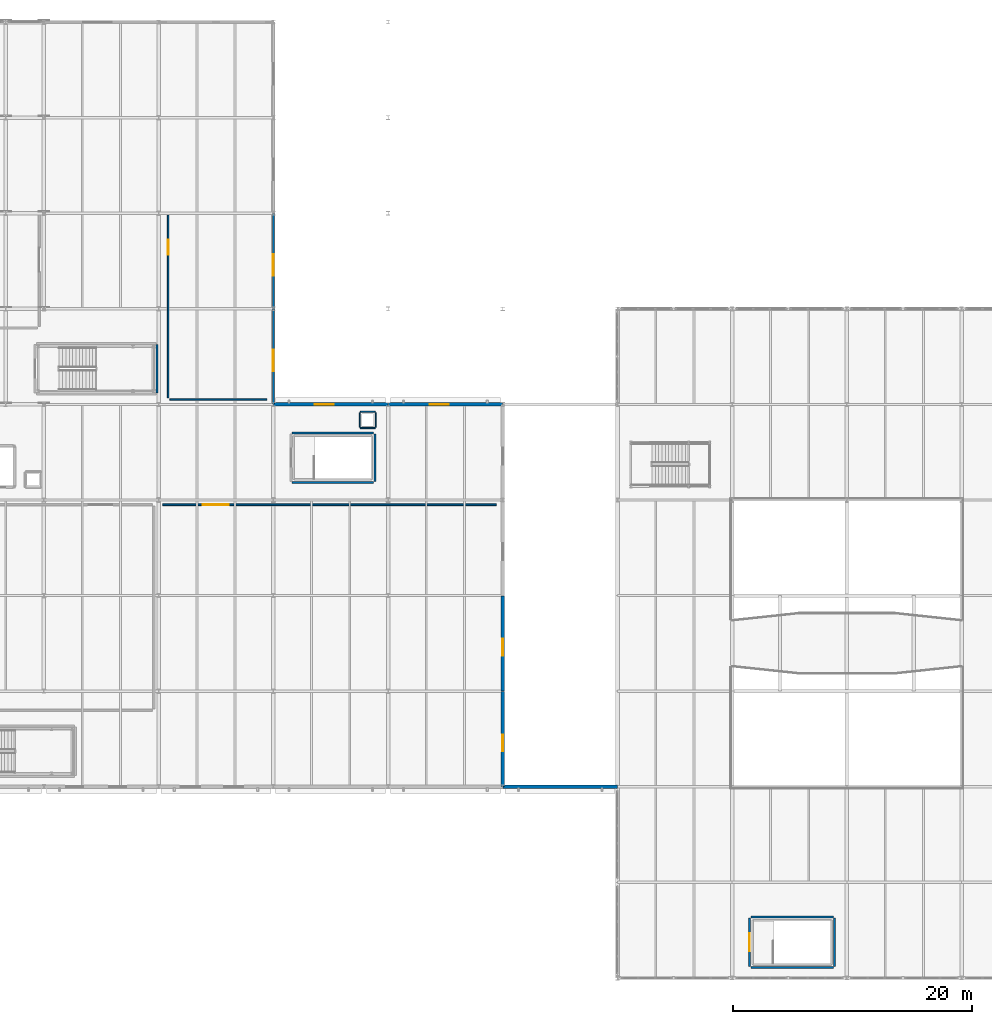
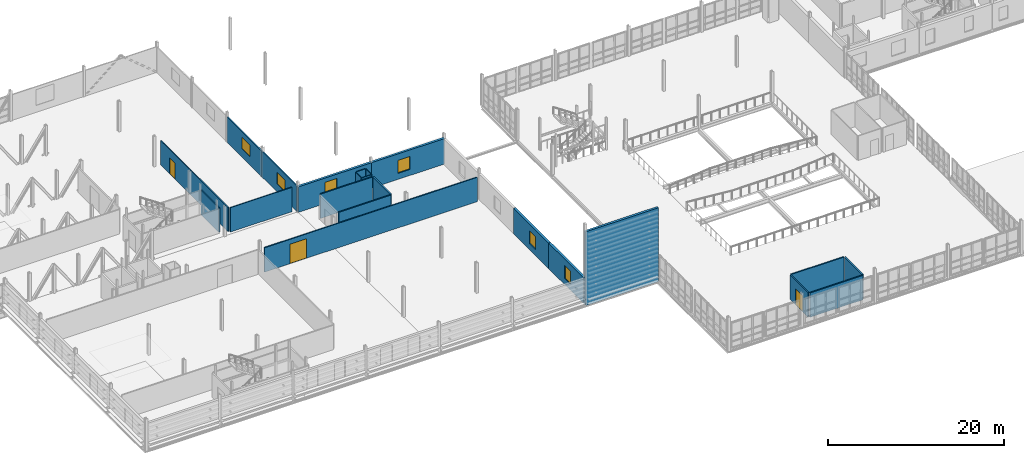
# One storey, part 61 of 73: 22 walls, 6 windows, 3 doors, 9 openings.
"""IFC4 building model written with IfcOpenShell, lengths in metres."""

from ifc_helpers import new_model, si_unit, direction, frame, frame_2d, origin, place, context, subcontext, project, spatial, rectangle, extrude, material, layer, layer_set, type_object, element, fill, save


model = new_model("IFC4")

# Units and contexts
model_context = context("Model", 3, precision=1e-05, world=origin(), true_north=direction((0.0, 1.0)))
body_context = subcontext(model_context, "Body", "Model", "MODEL_VIEW")
ifc_project = project(units=[si_unit("LENGTHUNIT", "METRE"), si_unit("AREAUNIT", "SQUARE_METRE"), si_unit("VOLUMEUNIT", "CUBIC_METRE"), si_unit("PLANEANGLEUNIT", "RADIAN"), si_unit("MASSUNIT", "GRAM", prefix="KILO")], contexts=[model_context])

# Site, building, storey
site_placement = place(None, origin())
site = spatial("IfcSite", under=ifc_project, at=site_placement, CompositionType="ELEMENT")
building_placement = place(site_placement, origin())
building = spatial("IfcBuilding", under=site, at=building_placement, Name="Alderhovde Museum", CompositionType="ELEMENT")
storey_placement = place(building_placement, frame((0.0, 0.0, 12.89990234375)))
storey = spatial("IfcBuildingStorey", under=building, at=storey_placement, Name="L03", CompositionType="ELEMENT", Elevation=12.89990234375)

# Wall, opening, window
ifc_material_1 = material(Name="Limestone Ashlar Rainscreen Wall", Category="masonry")
ifc_layer_1 = layer(ifc_material_1, 0.14990234375)
ifc_layer_set_1 = layer_set([ifc_layer_1], Name="Limestone Ashlar Rainscreen Wall")
wall_type_1 = type_object("IfcWallType", Name="EW-LIME-340", PredefinedType="SOLIDWALL", material=ifc_layer_set_1)
wall_1_placement = place(storey_placement, frame((48.0, 80.02001953125, 0.0), z_axis=(0.0, 0.0, 1.0), x_axis=(0.0, 1.0, 0.0)))
wall_1 = element("IfcWall", 1, at=wall_1_placement, inside=storey, type_object=wall_type_1, Name="L03 Paleontology East Step Wall 156", PredefinedType="SOLIDWALL", context=body_context, shape_type="SweptSolid", body=[
    extrude(rectangle(XDim=7.9599609375, YDim=0.14990234375, at=frame_2d((3.97998046875, 0.0))), origin(), (0.0, 0.0, 1.0), 3.5400390625),
])
opening_1_placement = place(wall_1_placement, frame((2.75, 0.0, 1.14990234375)))
opening_1 = element("IfcOpeningElement", 2, at=opening_1_placement, cuts=wall_1, Name="Opening W13", PredefinedType="OPENING", context=body_context, shape_type="SweptSolid", body=[
    extrude(rectangle(XDim=1.800048828125, YDim=1.60009765625, at=frame_2d((0.89990234375, 0.800048828125))), frame((0.0, 0.0849609375, 0.0), z_axis=(0.0, -1.0, 0.0), x_axis=(1.0, 0.0, 0.0)), (0.0, 0.0, 1.0), 0.169921875),
])
ifc_material_2 = material(Name="Triple-Glazed Low-E Bronze-Anodised Aluminium", Category="aluminium")
window_type_1 = type_object("IfcWindowType", Name="WIN-ATT-1800x1600", PartitioningType="DOUBLE_PANEL_VERTICAL", PredefinedType="WINDOW", material=ifc_material_2)
window_1_placement = place(opening_1_placement, origin())
window_1 = element("IfcWindow", 3, at=window_1_placement, inside=storey, type_object=window_type_1, Name="L03 Facade Window 136", OverallHeight=1.60009765625, OverallWidth=1.800048828125, PartitioningType="SINGLE_PANEL", PredefinedType="WINDOW", context=body_context, shape_type="SweptSolid", body=[
    extrude(rectangle(XDim=1.800048828125, YDim=1.60009765625, at=frame_2d((0.89990234375, 0.800048828125))), frame((0.0, 0.030029296875, 0.0), z_axis=(0.0, -1.0, 0.0), x_axis=(1.0, 0.0, 0.0)), (0.0, 0.0, 1.0), 0.06005859375),
])
fill(opening_1, window_1)

wall_2_placement = place(storey_placement, frame((48.0, 88.02001953125, 0.0), z_axis=(0.0, 0.0, 1.0), x_axis=(0.0, 1.0, 0.0)))
wall_2 = element("IfcWall", 4, at=wall_2_placement, inside=storey, type_object=wall_type_1, Name="L03 Paleontology East Step Wall 157", PredefinedType="SOLIDWALL", context=body_context, shape_type="SweptSolid", body=[
    extrude(rectangle(XDim=7.9599609375, YDim=0.14990234375, at=frame_2d((3.97998046875, 0.0))), origin(), (0.0, 0.0, 1.0), 3.5400390625),
])
opening_2_placement = place(wall_2_placement, frame((2.75, 0.0, 1.14990234375)))
opening_2 = element("IfcOpeningElement", 5, at=opening_2_placement, cuts=wall_2, Name="Opening W13", PredefinedType="OPENING", context=body_context, shape_type="SweptSolid", body=[
    extrude(rectangle(XDim=1.800048828125, YDim=1.60009765625, at=frame_2d((0.89990234375, 0.800048828125))), frame((0.0, 0.0849609375, 0.0), z_axis=(0.0, -1.0, 0.0), x_axis=(1.0, 0.0, 0.0)), (0.0, 0.0, 1.0), 0.169921875),
])
window_2_placement = place(opening_2_placement, origin())
window_2 = element("IfcWindow", 6, at=window_2_placement, inside=storey, type_object=window_type_1, Name="L03 Facade Window 137", OverallHeight=1.60009765625, OverallWidth=1.800048828125, PartitioningType="SINGLE_PANEL", PredefinedType="WINDOW", context=body_context, shape_type="SweptSolid", body=[
    extrude(rectangle(XDim=1.800048828125, YDim=1.60009765625, at=frame_2d((0.89990234375, 0.800048828125))), frame((0.0, 0.030029296875, 0.0), z_axis=(0.0, -1.0, 0.0), x_axis=(1.0, 0.0, 0.0)), (0.0, 0.0, 1.0), 0.06005859375),
])
fill(opening_2, window_2)

ifc_material_3 = material(Name="Insulated Zinc-Clad Backing Wall")
ifc_layer_2 = layer(ifc_material_3, 0.300048828125)
ifc_layer_set_2 = layer_set([ifc_layer_2], Name="Insulated Zinc-Clad Backing Wall")
wall_type_2 = type_object("IfcWallType", Name="EW-ZINC-300", PredefinedType="SOLIDWALL", material=ifc_layer_set_2)
wall_3_placement = place(storey_placement, frame((48.02001953125, 80.0, 0.0), z_axis=(0.0, 0.0, 1.0), x_axis=(1.0, 0.0, 0.0)))
wall_3 = element("IfcWall", 7, at=wall_3_placement, inside=storey, type_object=wall_type_2, Name="L03 Folded Wing North Wall 41", PredefinedType="SOLIDWALL", context=body_context, shape_type="SweptSolid", body=[
    extrude(rectangle(XDim=9.56005859375, YDim=0.300048828125, at=frame_2d((4.780029296875, 0.0))), origin(), (0.0, 0.0, 1.0), 3.5400390625),
])
opening_3_placement = place(wall_3_placement, frame((3.449951171875, 0.0, 1.14990234375)))
opening_3 = element("IfcOpeningElement", 8, at=opening_3_placement, cuts=wall_3, Name="Opening W12", PredefinedType="OPENING", context=body_context, shape_type="SweptSolid", body=[
    extrude(rectangle(XDim=1.60009765625, YDim=1.800048828125, at=frame_2d((0.800048828125, 0.89990234375))), frame((0.0, 0.159912109375, 0.0), z_axis=(0.0, -1.0, 0.0), x_axis=(1.0, 0.0, 0.0)), (0.0, 0.0, 1.0), 0.320068359375),
])
ifc_material_4 = material(Name="Triple-Glazed Low-E Bronze-Anodised Aluminium", Category="aluminium")
window_type_2 = type_object("IfcWindowType", Name="WIN-ATT-1600x1800", PartitioningType="DOUBLE_PANEL_VERTICAL", PredefinedType="WINDOW", material=ifc_material_4)
window_3_placement = place(opening_3_placement, origin())
window_3 = element("IfcWindow", 9, at=window_3_placement, inside=storey, type_object=window_type_2, Name="L03 Facade Window 27", OverallHeight=1.800048828125, OverallWidth=1.60009765625, PartitioningType="SINGLE_PANEL", PredefinedType="WINDOW", context=body_context, shape_type="SweptSolid", body=[
    extrude(rectangle(XDim=1.60009765625, YDim=1.800048828125, at=frame_2d((0.800048828125, 0.89990234375))), frame((0.0, 0.030029296875, 0.0), z_axis=(0.0, -1.0, 0.0), x_axis=(1.0, 0.0, 0.0)), (0.0, 0.0, 1.0), 0.06005859375),
])
fill(opening_3, window_3)

wall_4_placement = place(storey_placement, frame((57.6201171875, 80.0, 0.0), z_axis=(0.0, 0.0, 1.0), x_axis=(1.0, 0.0, 0.0)))
wall_4 = element("IfcWall", 10, at=wall_4_placement, inside=storey, type_object=wall_type_2, Name="L03 Folded Wing North Wall 42", PredefinedType="SOLIDWALL", context=body_context, shape_type="SweptSolid", body=[
    extrude(rectangle(XDim=9.559814453125, YDim=0.300048828125, at=frame_2d((4.77978515625, 0.0))), origin(), (0.0, 0.0, 1.0), 3.5400390625),
])
opening_4_placement = place(wall_4_placement, frame((3.449951171875, 0.0, 0.85009765625)))
opening_4 = element("IfcOpeningElement", 11, at=opening_4_placement, cuts=wall_4, Name="Opening W12", PredefinedType="OPENING", context=body_context, shape_type="SweptSolid", body=[
    extrude(rectangle(XDim=1.60009765625, YDim=1.800048828125, at=frame_2d((0.800048828125, 0.89990234375))), frame((0.0, 0.159912109375, 0.0), z_axis=(0.0, -1.0, 0.0), x_axis=(1.0, 0.0, 0.0)), (0.0, 0.0, 1.0), 0.320068359375),
])
window_4_placement = place(opening_4_placement, origin())
window_4 = element("IfcWindow", 12, at=window_4_placement, inside=storey, type_object=window_type_2, Name="L03 Facade Window 28", OverallHeight=1.800048828125, OverallWidth=1.60009765625, PartitioningType="SINGLE_PANEL", PredefinedType="WINDOW", context=body_context, shape_type="SweptSolid", body=[
    extrude(rectangle(XDim=1.60009765625, YDim=1.800048828125, at=frame_2d((0.800048828125, 0.89990234375))), frame((0.0, 0.030029296875, 0.0), z_axis=(0.0, -1.0, 0.0), x_axis=(1.0, 0.0, 0.0)), (0.0, 0.0, 1.0), 0.06005859375),
])
fill(opening_4, window_4)

wall_5_placement = place(storey_placement, frame((67.199951171875, 48.02001953125, 0.0), z_axis=(0.0, 0.0, 1.0), x_axis=(0.0, 1.0, 0.0)))
wall_5 = element("IfcWall", 13, at=wall_5_placement, inside=storey, type_object=wall_type_2, Name="L03 Folded Wing East Step Wall 47", PredefinedType="SOLIDWALL", context=body_context, shape_type="SweptSolid", body=[
    extrude(rectangle(XDim=7.9599609375, YDim=0.300048828125, at=frame_2d((3.97998046875, 0.0))), origin(), (0.0, 0.0, 1.0), 3.5400390625),
])
opening_5_placement = place(wall_5_placement, frame((2.949951171875, 0.0, 0.85009765625)))
opening_5 = element("IfcOpeningElement", 14, at=opening_5_placement, cuts=wall_5, Name="Opening W11", PredefinedType="OPENING", context=body_context, shape_type="SweptSolid", body=[
    extrude(rectangle(XDim=1.39990234375, YDim=1.800048828125, at=frame_2d((0.699951171875, 0.89990234375))), frame((0.0, 0.159912109375, 0.0), z_axis=(0.0, -1.0, 0.0), x_axis=(1.0, 0.0, 0.0)), (0.0, 0.0, 1.0), 0.320068359375),
])
ifc_material_5 = material(Name="Triple-Glazed Low-E Bronze-Anodised Aluminium", Category="aluminium")
window_type_3 = type_object("IfcWindowType", Name="WIN-ATT-1400x1800", PartitioningType="SINGLE_PANEL", PredefinedType="WINDOW", material=ifc_material_5)
window_5_placement = place(opening_5_placement, origin())
window_5 = element("IfcWindow", 15, at=window_5_placement, inside=storey, type_object=window_type_3, Name="L03 Facade Window 33", OverallHeight=1.800048828125, OverallWidth=1.39990234375, PartitioningType="SINGLE_PANEL", PredefinedType="WINDOW", context=body_context, shape_type="SweptSolid", body=[
    extrude(rectangle(XDim=1.39990234375, YDim=1.800048828125, at=frame_2d((0.699951171875, 0.89990234375))), frame((0.0, 0.030029296875, 0.0), z_axis=(0.0, -1.0, 0.0), x_axis=(1.0, 0.0, 0.0)), (0.0, 0.0, 1.0), 0.06005859375),
])
fill(opening_5, window_5)

wall_6_placement = place(storey_placement, frame((67.199951171875, 56.02001953125, 0.0), z_axis=(0.0, 0.0, 1.0), x_axis=(0.0, 1.0, 0.0)))
wall_6 = element("IfcWall", 16, at=wall_6_placement, inside=storey, type_object=wall_type_2, Name="L03 Folded Wing East Step Wall 48", PredefinedType="SOLIDWALL", context=body_context, shape_type="SweptSolid", body=[
    extrude(rectangle(XDim=7.9599609375, YDim=0.300048828125, at=frame_2d((3.97998046875, 0.0))), origin(), (0.0, 0.0, 1.0), 3.5400390625),
])
opening_6_placement = place(wall_6_placement, frame((2.949951171875, 0.0, 0.85009765625)))
opening_6 = element("IfcOpeningElement", 17, at=opening_6_placement, cuts=wall_6, Name="Opening W11", PredefinedType="OPENING", context=body_context, shape_type="SweptSolid", body=[
    extrude(rectangle(XDim=1.39990234375, YDim=1.800048828125, at=frame_2d((0.699951171875, 0.89990234375))), frame((0.0, 0.159912109375, 0.0), z_axis=(0.0, -1.0, 0.0), x_axis=(1.0, 0.0, 0.0)), (0.0, 0.0, 1.0), 0.320068359375),
])
window_6_placement = place(opening_6_placement, origin())
window_6 = element("IfcWindow", 18, at=window_6_placement, inside=storey, type_object=window_type_3, Name="L03 Facade Window 34", OverallHeight=1.800048828125, OverallWidth=1.39990234375, PartitioningType="SINGLE_PANEL", PredefinedType="WINDOW", context=body_context, shape_type="SweptSolid", body=[
    extrude(rectangle(XDim=1.39990234375, YDim=1.800048828125, at=frame_2d((0.699951171875, 0.89990234375))), frame((0.0, 0.030029296875, 0.0), z_axis=(0.0, -1.0, 0.0), x_axis=(1.0, 0.0, 0.0)), (0.0, 0.0, 1.0), 0.06005859375),
])
fill(opening_6, window_6)

# Wall
wall_7_placement = place(storey_placement, frame((67.219970703125, 48.0, -0.260009765625), z_axis=(0.0, 0.0, 1.0), x_axis=(1.0, 0.0, 0.0)))
element("IfcWall", 19, at=wall_7_placement, inside=storey, type_object=wall_type_2, Name="L03 Folded-Wing Fascia Wall 80", PredefinedType="SOLIDWALL", context=body_context, shape_type="SweptSolid", body=[
    extrude(rectangle(XDim=9.56005859375, YDim=0.300048828125, at=frame_2d((4.780029296875, 0.0))), origin(), (0.0, 0.0, 1.0), 10.239990234375),
])

# Wall, opening, door
ifc_material_6 = material(Name="Plywood-Backed Gallery Display Partition", Category="wood")
ifc_layer_3 = layer(ifc_material_6, 0.14990234375)
ifc_layer_set_3 = layer_set([ifc_layer_3], Name="Plywood-Backed Gallery Display Partition")
wall_type_3 = type_object("IfcWallType", Name="IW-GAL-150", PredefinedType="PARTITIONING", material=ifc_layer_set_3)
wall_8_placement = place(storey_placement, frame((38.739990234375, 71.60009765625, 0.0), z_axis=(0.0, 0.0, 1.0), x_axis=(1.0, 0.0, 0.0)))
wall_8 = element("IfcWall", 20, at=wall_8_placement, inside=storey, type_object=wall_type_3, Name="L03 Glaciology and Climate Exhibition Hall Partition Wall N", PredefinedType="PARTITIONING", context=body_context, shape_type="SweptSolid", body=[
    extrude(rectangle(XDim=27.919921875, YDim=0.14990234375, at=frame_2d((13.9599609375, 0.0))), origin(), (0.0, 0.0, 1.0), 3.380126953125),
])
opening_7_placement = place(wall_8_placement, frame((3.342041015625, 0.0, 0.0)))
opening_7 = element("IfcOpeningElement", 21, at=opening_7_placement, cuts=wall_8, Name="Opening D01", PredefinedType="OPENING", context=body_context, shape_type="SweptSolid", body=[
    extrude(rectangle(XDim=2.199951171875, YDim=2.699951171875, at=frame_2d((1.10009765625, 1.35009765625))), frame((0.0, 0.0849609375, 0.0), z_axis=(0.0, -1.0, 0.0), x_axis=(1.0, 0.0, 0.0)), (0.0, 0.0, 1.0), 0.169921875),
])
ifc_material_7 = material(Name="Grand Gallery Portal Double Door (Steel/Oak)", Category="steel")
door_type_1 = type_object("IfcDoorType", Name="ID-GAL-2200x2700", OperationType="NOTDEFINED", PredefinedType="DOOR", material=ifc_material_7)
door_1_placement = place(opening_7_placement, origin())
door_1 = element("IfcDoor", 22, at=door_1_placement, inside=storey, type_object=door_type_1, Name="L03 Glaciology and Climate Exhibition Hall Door", OperationType="DOUBLE_DOOR_SINGLE_SWING", OverallHeight=2.699951171875, OverallWidth=2.199951171875, PredefinedType="DOOR", context=body_context, shape_type="SweptSolid", body=[
    extrude(rectangle(XDim=2.199951171875, YDim=2.699951171875, at=frame_2d((1.10009765625, 1.35009765625))), frame((0.0, 0.02490234375, 0.0), z_axis=(0.0, -1.0, 0.0), x_axis=(1.0, 0.0, 0.0)), (0.0, 0.0, 1.0), 0.050048828125),
])
fill(opening_7, door_1)

# Walls
ifc_material_8 = material(Name="Acoustic Service Riser Lining Wall")
ifc_layer_4 = layer(ifc_material_8, 0.10009765625)
ifc_layer_set_4 = layer_set([ifc_layer_4], Name="Acoustic Service Riser Lining Wall")
wall_type_4 = type_object("IfcWallType", Name="IW-LIN-100", PredefinedType="PARTITIONING", material=ifc_layer_set_4)
for number, where, z_axis, x_axis, name in (
    (23, (55.280029296875, 79.3798828125, 0.0), (0.0, 0.0, 1.0), (1.0, 0.0, 0.0), "L03 Service Riser RSR-V4 Shaft Wall N"),
    (24, (55.280029296875, 78.02001953125, 0.0), (0.0, 0.0, 1.0), (1.0, 0.0, 0.0), "L03 Service Riser RSR-V4 Shaft Wall S"),
    (25, (55.219970703125, 78.080078125, 0.0), (0.0, 0.0, 1.0), (0.0, 1.0, 0.0), "L03 Service Riser RSR-V4 Shaft Wall W"),
    (26, (56.580078125, 78.080078125, 0.0), (0.0, 0.0, 1.0), (0.0, 1.0, 0.0), "L03 Service Riser RSR-V4 Shaft Wall E"),
):
    element("IfcWall", number, at=place(storey_placement, frame(where, z_axis=z_axis, x_axis=x_axis)), inside=storey, type_object=wall_type_4, Name=name, PredefinedType="PARTITIONING", context=body_context, shape_type="SweptSolid", body=[
        extrude(rectangle(XDim=1.239990234375, YDim=0.10009765625, at=frame_2d((0.6201171875, 0.0))), origin(), (0.0, 0.0, 1.0), 3.380126953125),
    ])
ifc_material_9 = material(Name="Insulated Metal-Stud Room Partition")
ifc_layer_5 = layer(ifc_material_9, 0.125)
ifc_layer_set_5 = layer_set([ifc_layer_5], Name="Insulated Metal-Stud Room Partition")
wall_type_5 = type_object("IfcWallType", Name="IW-PART-125", PredefinedType="PARTITIONING", material=ifc_layer_set_5)
wall_9_placement = place(storey_placement, frame((39.340087890625, 80.39990234375, 0.0), z_axis=(0.0, 0.0, 1.0), x_axis=(1.0, 0.0, 0.0)))
element("IfcWall", 27, at=wall_9_placement, inside=storey, type_object=wall_type_5, Name="L03 Evolutionary Biology Studio Partition Wall S", PredefinedType="PARTITIONING", context=body_context, shape_type="SweptSolid", body=[
    extrude(rectangle(XDim=8.119873046875, YDim=0.125, at=frame_2d((4.06005859375, 0.0))), origin(), (0.0, 0.0, 1.0), 3.380126953125),
])

# Wall, opening, door
wall_10_placement = place(storey_placement, frame((39.199951171875, 80.5400390625, 0.0), z_axis=(0.0, 0.0, 1.0), x_axis=(0.0, 1.0, 0.0)))
wall_10 = element("IfcWall", 28, at=wall_10_placement, inside=storey, type_object=wall_type_5, Name="L03 Evolutionary Biology Studio Partition Wall W", PredefinedType="PARTITIONING", context=body_context, shape_type="SweptSolid", body=[
    extrude(rectangle(XDim=15.2900390625, YDim=0.125, at=frame_2d((7.64501953125, 0.0))), origin(), (0.0, 0.0, 1.0), 3.380126953125),
])
opening_8_placement = place(wall_10_placement, frame((12.0, 0.0, 0.0)))
opening_8 = element("IfcOpeningElement", 29, at=opening_8_placement, cuts=wall_10, Name="Opening D06", PredefinedType="OPENING", context=body_context, shape_type="SweptSolid", body=[
    extrude(rectangle(XDim=1.25, YDim=2.199951171875, at=frame_2d((0.625, 1.10009765625))), frame((0.0, 0.072509765625, 0.0), z_axis=(0.0, -1.0, 0.0), x_axis=(1.0, 0.0, 0.0)), (0.0, 0.0, 1.0), 0.14501953125),
])
ifc_material_10 = material(Name="Oak Education Studio Door (Steel/Oak)", Category="steel")
door_type_2 = type_object("IfcDoorType", Name="ID-EDU-1250x2200", OperationType="NOTDEFINED", PredefinedType="DOOR", material=ifc_material_10)
door_2_placement = place(opening_8_placement, origin())
door_2 = element("IfcDoor", 30, at=door_2_placement, inside=storey, type_object=door_type_2, Name="L03 Evolutionary Biology Studio Door", OperationType="SINGLE_SWING_RIGHT", OverallHeight=2.199951171875, OverallWidth=1.25, PredefinedType="DOOR", context=body_context, shape_type="SweptSolid", body=[
    extrude(rectangle(XDim=1.25, YDim=2.199951171875, at=frame_2d((0.625, 1.10009765625))), frame((0.0, 0.02490234375, 0.0), z_axis=(0.0, -1.0, 0.0), x_axis=(1.0, 0.0, 0.0)), (0.0, 0.0, 1.0), 0.050048828125),
])
fill(opening_8, door_2)

# Wall
ifc_material_11 = material(Name="Fire-Resisting Stair Lobby Wall")
ifc_layer_6 = layer(ifc_material_11, 0.169921875)
ifc_layer_set_6 = layer_set([ifc_layer_6], Name="Fire-Resisting Stair Lobby Wall")
wall_type_6 = type_object("IfcWallType", Name="IW-STAIR-170", PredefinedType="SOLIDWALL", material=ifc_layer_set_6)
wall_11_placement = place(storey_placement, frame((38.260009765625, 80.9599609375, 0.0), z_axis=(0.0, 0.0, 1.0), x_axis=(0.0, 1.0, 0.0)))
element("IfcWall", 31, at=wall_11_placement, inside=storey, type_object=wall_type_6, Name="L03 Escape Stair ST2 Fire Wall E", PredefinedType="SOLIDWALL", context=body_context, shape_type="SweptSolid", body=[
    extrude(rectangle(XDim=4.0400390625, YDim=0.169921875, at=frame_2d((2.02001953125, 0.0))), origin(), (0.0, 0.0, 1.0), 3.380126953125),
])

# Wall, opening, door
wall_12_placement = place(storey_placement, frame((87.860107421875, 32.9599609375, 0.0), z_axis=(0.0, 0.0, 1.0), x_axis=(0.0, 1.0, 0.0)))
wall_12 = element("IfcWall", 32, at=wall_12_placement, inside=storey, type_object=wall_type_6, Name="L03 Escape Stair ST3 Fire Wall W", PredefinedType="SOLIDWALL", context=body_context, shape_type="SweptSolid", body=[
    extrude(rectangle(XDim=4.0400390625, YDim=0.169921875, at=frame_2d((2.02001953125, 0.0))), origin(), (0.0, 0.0, 1.0), 3.380126953125),
])
opening_9_placement = place(wall_12_placement, frame((1.27001953125, 0.0, 0.0)))
opening_9 = element("IfcOpeningElement", 33, at=opening_9_placement, cuts=wall_12, Name="Opening FD-1", PredefinedType="OPENING", context=body_context, shape_type="SweptSolid", body=[
    extrude(rectangle(XDim=1.5, YDim=2.199951171875, at=frame_2d((0.75, 1.10009765625))), frame((0.0, 0.094970703125, 0.0), z_axis=(0.0, -1.0, 0.0), x_axis=(1.0, 0.0, 0.0)), (0.0, 0.0, 1.0), 0.18994140625),
])
ifc_material_12 = material(Name="Fire-Rated Steel Stair Escape Door (Steel/Oak)", Category="steel")
door_type_3 = type_object("IfcDoorType", Name="FD-STAIR-1500x2200", OperationType="NOTDEFINED", PredefinedType="DOOR", material=ifc_material_12)
door_3_placement = place(opening_9_placement, origin())
door_3 = element("IfcDoor", 34, at=door_3_placement, inside=storey, type_object=door_type_3, Name="L03 Escape Stair ST3 Fire Door", OperationType="SINGLE_SWING_LEFT", OverallHeight=2.199951171875, OverallWidth=1.5, PredefinedType="DOOR", context=body_context, shape_type="SweptSolid", body=[
    extrude(rectangle(XDim=1.5, YDim=2.199951171875, at=frame_2d((0.75, 1.10009765625))), frame((0.0, 0.02490234375, 0.0), z_axis=(0.0, -1.0, 0.0), x_axis=(1.0, 0.0, 0.0)), (0.0, 0.0, 1.0), 0.050048828125),
])
fill(opening_9, door_3)

# Walls
wall_13_placement = place(storey_placement, frame((94.97998046875, 32.9599609375, 0.0), z_axis=(0.0, 0.0, 1.0), x_axis=(0.0, 1.0, 0.0)))
element("IfcWall", 35, at=wall_13_placement, inside=storey, type_object=wall_type_6, Name="L03 Escape Stair ST3 Fire Wall E", PredefinedType="SOLIDWALL", context=body_context, shape_type="SweptSolid", body=[
    extrude(rectangle(XDim=4.0400390625, YDim=0.169921875, at=frame_2d((2.02001953125, 0.0))), origin(), (0.0, 0.0, 1.0), 3.380126953125),
])
for number, where, z_axis, x_axis, name in (
    (36, (87.9599609375, 32.860107421875, 0.0), (0.0, 0.0, 1.0), (1.0, 0.0, 0.0), "L03 Escape Stair ST3 Fire Wall S"),
    (37, (87.9599609375, 37.10009765625, 0.0), (0.0, 0.0, 1.0), (1.0, 0.0, 0.0), "L03 Escape Stair ST3 Fire Wall N"),
):
    element("IfcWall", number, at=place(storey_placement, frame(where, z_axis=z_axis, x_axis=x_axis)), inside=storey, type_object=wall_type_6, Name=name, PredefinedType="SOLIDWALL", context=body_context, shape_type="SweptSolid", body=[
        extrude(rectangle(XDim=6.919921875, YDim=0.169921875, at=frame_2d((3.4599609375, 0.0))), origin(), (0.0, 0.0, 1.0), 3.380126953125),
    ])
wall_14_placement = place(storey_placement, frame((56.5, 73.56005859375, 0.0), z_axis=(0.0, 0.0, 1.0), x_axis=(0.0, 1.0, 0.0)))
element("IfcWall", 38, at=wall_14_placement, inside=storey, type_object=wall_type_6, Name="L03 Escape Stair ST6 Fire Wall E", PredefinedType="SOLIDWALL", context=body_context, shape_type="SweptSolid", body=[
    extrude(rectangle(XDim=3.9599609375, YDim=0.169921875, at=frame_2d((1.97998046875, 0.0))), origin(), (0.0, 0.0, 1.0), 3.380126953125),
])
for number, where, z_axis, x_axis, name in (
    (39, (49.56005859375, 73.4599609375, 0.0), (0.0, 0.0, 1.0), (1.0, 0.0, 0.0), "L03 Escape Stair ST6 Fire Wall S"),
    (40, (49.56005859375, 77.6201171875, 0.0), (0.0, 0.0, 1.0), (1.0, 0.0, 0.0), "L03 Escape Stair ST6 Fire Wall N"),
):
    element("IfcWall", number, at=place(storey_placement, frame(where, z_axis=z_axis, x_axis=x_axis)), inside=storey, type_object=wall_type_6, Name=name, PredefinedType="SOLIDWALL", context=body_context, shape_type="SweptSolid", body=[
        extrude(rectangle(XDim=6.83984375, YDim=0.169921875, at=frame_2d((3.419921875, 0.0))), origin(), (0.0, 0.0, 1.0), 3.380126953125),
    ])

save(model, "model.ifc")
